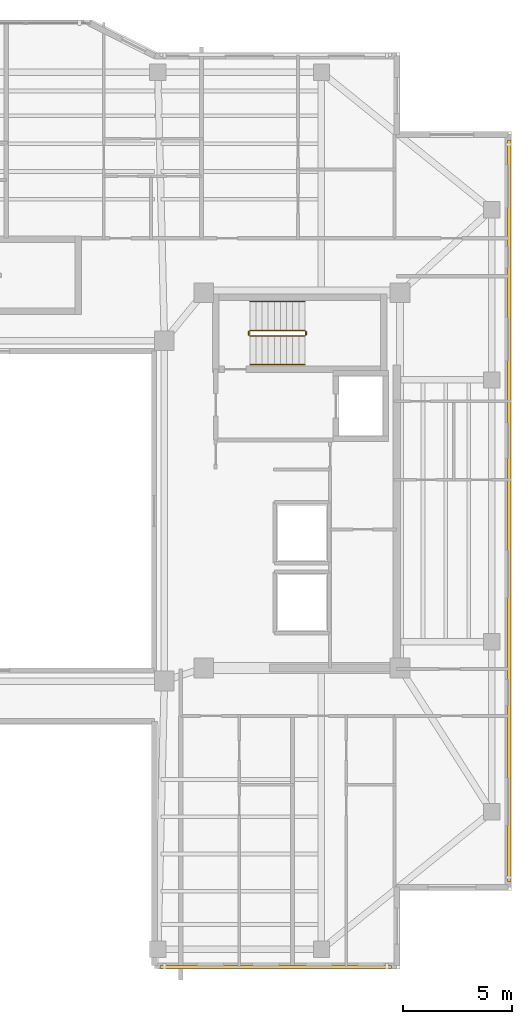
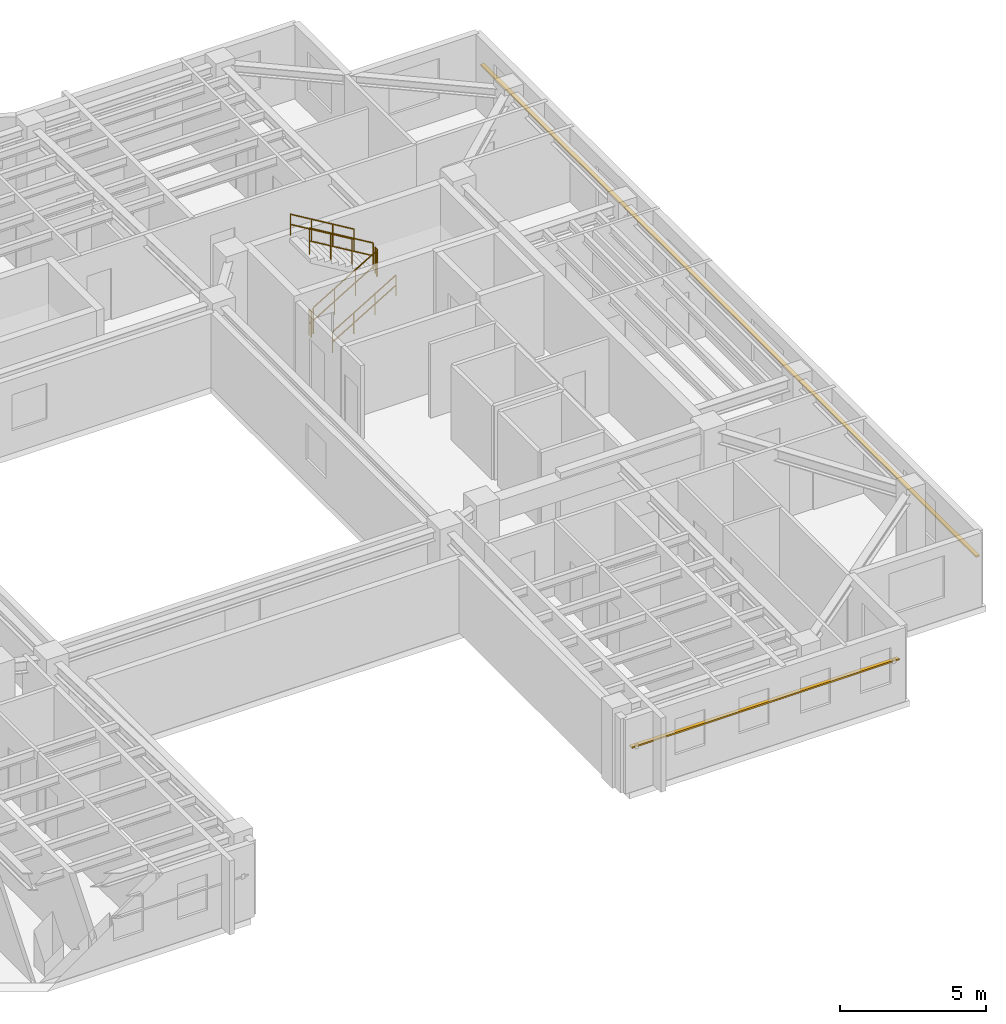
# One storey, part 11 of 12: 6 railings, 2 shading devices.
"""IFC4 building model written with IfcOpenShell, lengths in metres."""

from ifc_helpers import new_model, si_unit, direction, frame, origin, origin_2d, place, context, subcontext, project, spatial, rectangle, circle, extrude, material, material_profile, profile_set, type_object, element, save


model = new_model("IFC4")

# Units and contexts
model_context = context("Model", 3, precision=1e-05, world=origin(), true_north=direction((0.0, 1.0)))
body_context = subcontext(model_context, "Body", "Model", "MODEL_VIEW")
ifc_project = project(units=[si_unit("LENGTHUNIT", "METRE"), si_unit("AREAUNIT", "SQUARE_METRE"), si_unit("VOLUMEUNIT", "CUBIC_METRE"), si_unit("PLANEANGLEUNIT", "RADIAN"), si_unit("MASSUNIT", "GRAM", prefix="KILO")], contexts=[model_context])

# Site, building, storey
site_placement = place(None, origin())
site = spatial("IfcSite", under=ifc_project, at=site_placement, CompositionType="ELEMENT")
building_placement = place(site_placement, origin())
building = spatial("IfcBuilding", under=site, at=building_placement, Name="Tarnavaz Court Tower", CompositionType="ELEMENT")
storey_placement = place(building_placement, frame((0.0, 0.0, 207.0)))
storey = spatial("IfcBuildingStorey", under=building, at=storey_placement, Name="L56", CompositionType="ELEMENT", Elevation=207.0)

# Railings
ifc_material_1 = material(Name="Brushed Stainless Steel", Category="steel")
railing_type_1 = type_object("IfcRailingType", Name="RL-HANDRAIL-900", PredefinedType="HANDRAIL", material=ifc_material_1)
railing_1_placement = place(storey_placement, frame((11.719970703125, 6.699951171875, 0.16748046875)))
element("IfcRailing", 1, at=railing_1_placement, inside=storey, type_object=railing_type_1, Name="L56 ST-E1 stair handrail 1", PredefinedType="HANDRAIL", context=body_context, shape_type="SweptSolid", body=[
    extrude(circle(Radius=0.02392578125, at=origin_2d()), frame((0.0, 0.0, 0.8759765625), z_axis=(0.858159760407, 0.0, 0.513382728203), x_axis=(0.0, 1.0, 0.0)), (0.0, 0.0, 1.0), 2.9365234375),
    extrude(circle(Radius=0.02392578125, at=origin_2d()), frame((0.0, 0.0, 0.449951171875), z_axis=(0.858159760407, 0.0, 0.513382728203), x_axis=(0.0, 1.0, 0.0)), (0.0, 0.0, 1.0), 2.9365234375),
    extrude(circle(Radius=0.02099609375, at=origin_2d()), origin(), (0.0, 0.0, 1.0), 0.851806640625),
    extrude(circle(Radius=0.02099609375, at=origin_2d()), frame((0.840087890625, 0.0, 0.50244140625)), (0.0, 0.0, 1.0), 0.851806640625),
    extrude(circle(Radius=0.02099609375, at=origin_2d()), frame((1.679931640625, 0.0, 1.005126953125)), (0.0, 0.0, 1.0), 0.851806640625),
    extrude(circle(Radius=0.02099609375, at=origin_2d()), frame((2.52001953125, 0.0, 1.507568359375)), (0.0, 0.0, 1.0), 0.851806640625),
])
railing_2_placement = place(storey_placement, frame((14.239990234375, 9.590087890625, 1.842529296875)))
element("IfcRailing", 2, at=railing_2_placement, inside=storey, type_object=railing_type_1, Name="L56 ST-E1 stair handrail 2", PredefinedType="HANDRAIL", context=body_context, shape_type="SweptSolid", body=[
    extrude(circle(Radius=0.02392578125, at=origin_2d()), frame((0.0, 0.0, 0.8759765625), z_axis=(-0.858159760407, 0.0, 0.513382728203), x_axis=(0.0, -1.0, 0.0)), (0.0, 0.0, 1.0), 2.9365234375),
    extrude(circle(Radius=0.02392578125, at=origin_2d()), frame((0.0, 0.0, 0.449951171875), z_axis=(-0.858159760407, 0.0, 0.513382728203), x_axis=(0.0, -1.0, 0.0)), (0.0, 0.0, 1.0), 2.9365234375),
    extrude(circle(Radius=0.02099609375, at=origin_2d()), origin(), (0.0, 0.0, 1.0), 0.851806640625),
    extrude(circle(Radius=0.02099609375, at=origin_2d()), frame((-0.840087890625, 0.0, 0.50244140625)), (0.0, 0.0, 1.0), 0.851806640625),
    extrude(circle(Radius=0.02099609375, at=origin_2d()), frame((-1.679931640625, 0.0, 1.005126953125)), (0.0, 0.0, 1.0), 0.851806640625),
    extrude(circle(Radius=0.02099609375, at=origin_2d()), frame((-2.52001953125, 0.0, 1.507568359375)), (0.0, 0.0, 1.0), 0.851806640625),
])
ifc_material_2 = material(Name="Galvanized Painted Tubular Steel", Category="steel")
railing_type_2 = type_object("IfcRailingType", Name="RL-STGUARD-1120", PredefinedType="GUARDRAIL", material=ifc_material_2)
railing_3_placement = place(storey_placement, frame((11.719970703125, 8.02001953125, 0.16748046875)))
element("IfcRailing", 3, at=railing_3_placement, inside=storey, type_object=railing_type_2, Name="L56 ST-E1 stair guard 1", PredefinedType="GUARDRAIL", context=body_context, shape_type="SweptSolid", body=[
    extrude(circle(Radius=0.02392578125, at=origin_2d()), frame((0.0, 0.0, 1.09619140625), z_axis=(0.858159760407, 0.0, 0.513382728203), x_axis=(0.0, 1.0, 0.0)), (0.0, 0.0, 1.0), 2.9365234375),
    extrude(circle(Radius=0.02392578125, at=origin_2d()), frame((0.0, 0.0, 0.56005859375), z_axis=(0.858159760407, 0.0, 0.513382728203), x_axis=(0.0, 1.0, 0.0)), (0.0, 0.0, 1.0), 2.9365234375),
    extrude(circle(Radius=0.02099609375, at=origin_2d()), origin(), (0.0, 0.0, 1.0), 1.072021484375),
    extrude(circle(Radius=0.02099609375, at=origin_2d()), frame((0.840087890625, 0.0, 0.50244140625)), (0.0, 0.0, 1.0), 1.072021484375),
    extrude(circle(Radius=0.02099609375, at=origin_2d()), frame((1.679931640625, 0.0, 1.005126953125)), (0.0, 0.0, 1.0), 1.072021484375),
    extrude(circle(Radius=0.02099609375, at=origin_2d()), frame((2.52001953125, 0.0, 1.507568359375)), (0.0, 0.0, 1.0), 1.072021484375),
])
railing_4_placement = place(storey_placement, frame((14.2900390625, 8.070068359375, 1.675048828125)))
element("IfcRailing", 4, at=railing_4_placement, inside=storey, type_object=railing_type_2, Name="L56 ST-E1 stair guard 2", PredefinedType="GUARDRAIL", context=body_context, shape_type="SweptSolid", body=[
    extrude(circle(Radius=0.02392578125, at=origin_2d()), frame((0.0, 0.0, 1.09619140625), z_axis=(0.0, 1.0, 0.0), x_axis=(-1.0, 0.0, 0.0)), (0.0, 0.0, 1.0), 0.14990234375),
    extrude(circle(Radius=0.02392578125, at=origin_2d()), frame((0.0, 0.0, 0.56005859375), z_axis=(0.0, 1.0, 0.0), x_axis=(-1.0, 0.0, 0.0)), (0.0, 0.0, 1.0), 0.14990234375),
    extrude(circle(Radius=0.02099609375, at=origin_2d()), origin(), (0.0, 0.0, 1.0), 1.072021484375),
    extrude(circle(Radius=0.02099609375, at=origin_2d()), frame((0.0, 0.14990234375, 0.0)), (0.0, 0.0, 1.0), 1.072021484375),
])
railing_5_placement = place(storey_placement, frame((14.239990234375, 8.27001953125, 1.842529296875)))
element("IfcRailing", 5, at=railing_5_placement, inside=storey, type_object=railing_type_2, Name="L56 ST-E1 stair guard 3", PredefinedType="GUARDRAIL", context=body_context, shape_type="SweptSolid", body=[
    extrude(circle(Radius=0.02392578125, at=origin_2d()), frame((0.0, 0.0, 1.09619140625), z_axis=(-0.858159760407, 0.0, 0.513382728203), x_axis=(0.0, -1.0, 0.0)), (0.0, 0.0, 1.0), 2.9365234375),
    extrude(circle(Radius=0.02392578125, at=origin_2d()), frame((0.0, 0.0, 0.56005859375), z_axis=(-0.858159760407, 0.0, 0.513382728203), x_axis=(0.0, -1.0, 0.0)), (0.0, 0.0, 1.0), 2.9365234375),
    extrude(circle(Radius=0.02099609375, at=origin_2d()), origin(), (0.0, 0.0, 1.0), 1.072021484375),
    extrude(circle(Radius=0.02099609375, at=origin_2d()), frame((-0.840087890625, 0.0, 0.50244140625)), (0.0, 0.0, 1.0), 1.072021484375),
    extrude(circle(Radius=0.02099609375, at=origin_2d()), frame((-1.679931640625, 0.0, 1.005126953125)), (0.0, 0.0, 1.0), 1.072021484375),
    extrude(circle(Radius=0.02099609375, at=origin_2d()), frame((-2.52001953125, 0.0, 1.507568359375)), (0.0, 0.0, 1.0), 1.072021484375),
])
railing_6_placement = place(storey_placement, frame((11.669921875, 8.070068359375, 0.0)))
element("IfcRailing", 6, at=railing_6_placement, inside=storey, type_object=railing_type_2, Name="L56 ST-E1 stair guard 4", PredefinedType="GUARDRAIL", context=body_context, shape_type="SweptSolid", body=[
    extrude(circle(Radius=0.02392578125, at=origin_2d()), frame((0.0, 0.0, 1.09619140625), z_axis=(0.0, 1.0, 0.0), x_axis=(-1.0, 0.0, 0.0)), (0.0, 0.0, 1.0), 0.14990234375),
    extrude(circle(Radius=0.02392578125, at=origin_2d()), frame((0.0, 0.0, 0.56005859375), z_axis=(0.0, 1.0, 0.0), x_axis=(-1.0, 0.0, 0.0)), (0.0, 0.0, 1.0), 0.14990234375),
    extrude(circle(Radius=0.02099609375, at=origin_2d()), origin(), (0.0, 0.0, 1.0), 1.072021484375),
    extrude(circle(Radius=0.02099609375, at=origin_2d()), frame((0.0, 0.14990234375, 0.0)), (0.0, 0.0, 1.0), 1.072021484375),
])

# Shading devices
ifc_material_3 = material(Name="Kiln-Fired Khorasan Terracotta Ceramic", Category="masonry")
ifc_material_profile = material_profile(ifc_material_3, rectangle(XDim=0.14990234375, YDim=0.06494140625, at=origin_2d()), Name="TC BAGUETTE 150X65")
ifc_profile_set = profile_set([ifc_material_profile], Name="Kiln-Fired Khorasan Terracotta Ceramic")
shading_device_type = type_object("IfcShadingDeviceType", Name="SD-BAG-150", PredefinedType="USERDEFINED", material=ifc_profile_set)
shading_device_1_placement = place(storey_placement, frame((23.610107421875, 17.0, 1.85009765625), z_axis=(0.0, -1.0, 0.0), x_axis=(1.0, 0.0, 0.0)))
element("IfcShadingDevice", 7, at=shading_device_1_placement, inside=storey, type_object=shading_device_type, Name="L56 Terracotta Baguette Screen FBG12", ObjectType="BAGUETTE", PredefinedType="USERDEFINED", context=body_context, shape_type="SweptSolid", body=[
    extrude(rectangle(XDim=0.14990234375, YDim=0.06494140625, at=origin_2d()), origin(), (0.0, 0.0, 1.0), 34.0),
])
shading_device_2_placement = place(storey_placement, frame((18.199951171875, -20.909912109375, 1.85009765625), z_axis=(-1.0, 0.0, 0.0), x_axis=(0.0, -1.0, 0.0)))
element("IfcShadingDevice", 8, at=shading_device_2_placement, inside=storey, type_object=shading_device_type, Name="L56 Terracotta Baguette Screen FBG15", ObjectType="BAGUETTE", PredefinedType="USERDEFINED", context=body_context, shape_type="SweptSolid", body=[
    extrude(rectangle(XDim=0.14990234375, YDim=0.06494140625, at=origin_2d()), origin(), (0.0, 0.0, 1.0), 10.599853515625),
])

save(model, "model.ifc")
